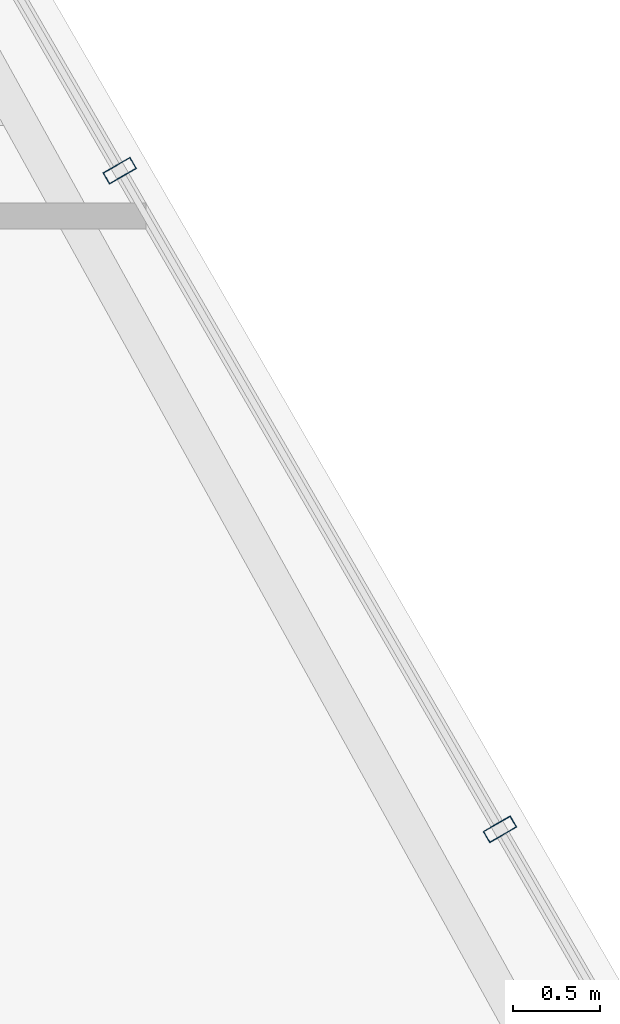
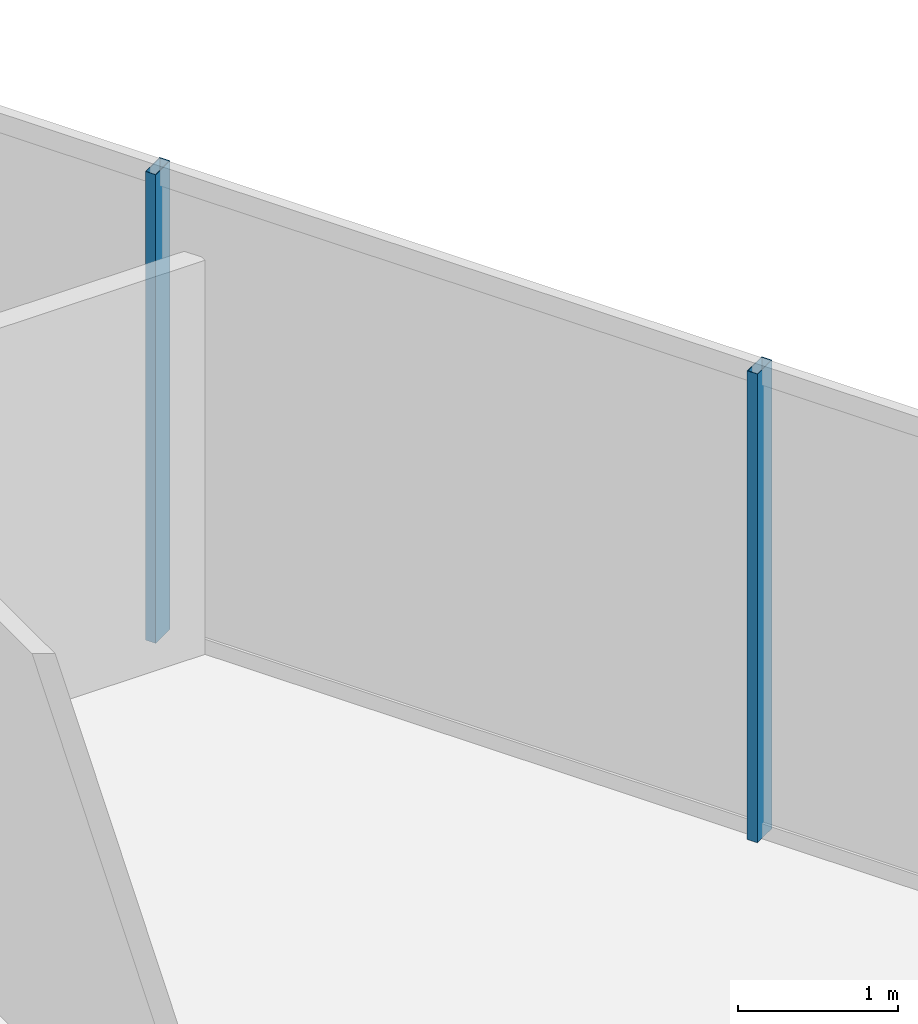
# One storey, part 17 of 29: 2 members, 1 element without a shape of its own.
"""IFC4 building model written with IfcOpenShell, lengths in metres."""

from ifc_helpers import new_model, si_unit, direction, frame, origin, origin_2d, place, context, subcontext, project, spatial, hollow_rectangle, extrude, material, layer, layer_set, material_profile, profile_set, type_object, element, aggregate, save


model = new_model("IFC4")

# Units and contexts
model_context = context("Model", 3, precision=1e-05, world=origin(), true_north=direction((0.0, 1.0)))
body_context = subcontext(model_context, "Body", "Model", "MODEL_VIEW")
ifc_project = project(units=[si_unit("LENGTHUNIT", "METRE"), si_unit("AREAUNIT", "SQUARE_METRE"), si_unit("VOLUMEUNIT", "CUBIC_METRE"), si_unit("PLANEANGLEUNIT", "RADIAN"), si_unit("MASSUNIT", "GRAM", prefix="KILO")], contexts=[model_context])

# Site, building, storey
site_placement = place(None, origin())
site = spatial("IfcSite", under=ifc_project, at=site_placement, CompositionType="ELEMENT")
building_placement = place(site_placement, origin())
building = spatial("IfcBuilding", under=site, at=building_placement, Name="Ndaravel Arena Tower", CompositionType="ELEMENT")
storey_placement = place(building_placement, frame((0.0, 0.0, 237.0)))
storey = spatial("IfcBuildingStorey", under=building, at=storey_placement, Name="L57", CompositionType="ELEMENT", Elevation=237.0)

# Curtain wall, members
ifc_material_1 = material(Name="Aluminium", Category="aluminium")
ifc_layer = layer(ifc_material_1, 0.179931640625)
ifc_layer_set = layer_set([ifc_layer], Name="Aluminium")
curtain_wall_type = type_object("IfcCurtainWallType", Name="CW-SYS-03", PredefinedType="NOTDEFINED", material=ifc_layer_set)
curtain_wall_placement = place(storey_placement, origin())
curtain_wall = element("IfcCurtainWall", 1, at=curtain_wall_placement, inside=storey, type_object=curtain_wall_type, Name="L57 Faceted Crystal Curtain Wall CW-L57-E03", PredefinedType="NOTDEFINED")
ifc_material_2 = material(Name="Aluminium", Category="aluminium")
ifc_material_profile = material_profile(ifc_material_2, hollow_rectangle(XDim=0.074951171875, YDim=0.179931640625, WallThickness=0.00390625, at=origin_2d()), Name="CW MULLION 75x180x4")
ifc_profile_set = profile_set([ifc_material_profile], Name="Aluminium")
member_type = type_object("IfcMemberType", Name="MEM-CW-MUL180", PredefinedType="MULLION", material=ifc_profile_set)
member_1_placement = place(storey_placement, frame((58.6455078125, 22.69287109375, 0.0), z_axis=(0.0, 0.0, 1.0), x_axis=(-0.5, 0.866025403784, 0.0)))
member_1 = element("IfcMember", 2, at=member_1_placement, type_object=member_type, Name="CW-L57-E03 Mullion 03", PredefinedType="MULLION", context=body_context, shape_type="SweptSolid", body=[
    extrude(hollow_rectangle(XDim=0.074951171875, YDim=0.179931640625, WallThickness=0.00390625, at=origin_2d()), origin(), (0.0, 0.0, 1.0), 3.580078125),
])
member_2_placement = place(storey_placement, frame((56.47119140625, 26.458984375, 0.0), z_axis=(0.0, 0.0, 1.0), x_axis=(-0.5, 0.866025403784, 0.0)))
member_2 = element("IfcMember", 3, at=member_2_placement, type_object=member_type, Name="CW-L57-E03 Mullion 04", PredefinedType="MULLION", context=body_context, shape_type="SweptSolid", body=[
    extrude(hollow_rectangle(XDim=0.074951171875, YDim=0.179931640625, WallThickness=0.00390625, at=origin_2d()), origin(), (0.0, 0.0, 1.0), 3.580078125),
])
aggregate(curtain_wall, [member_1, member_2])

save(model, "model.ifc")
